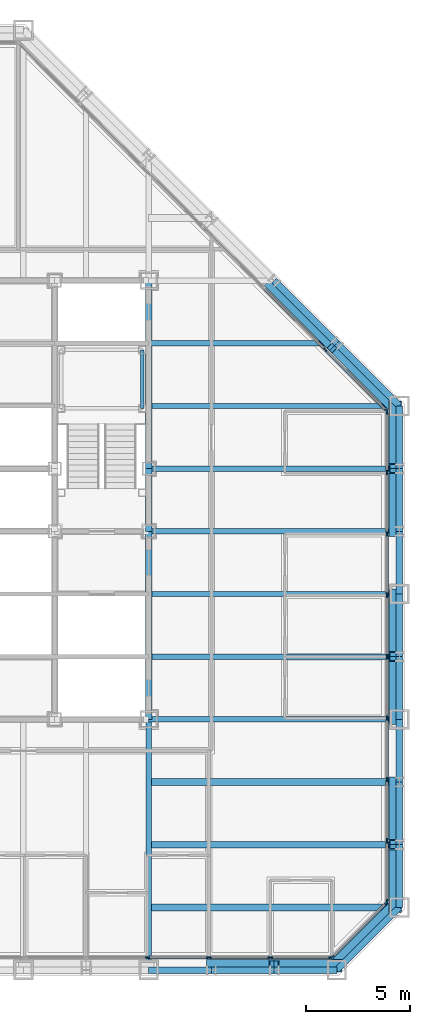
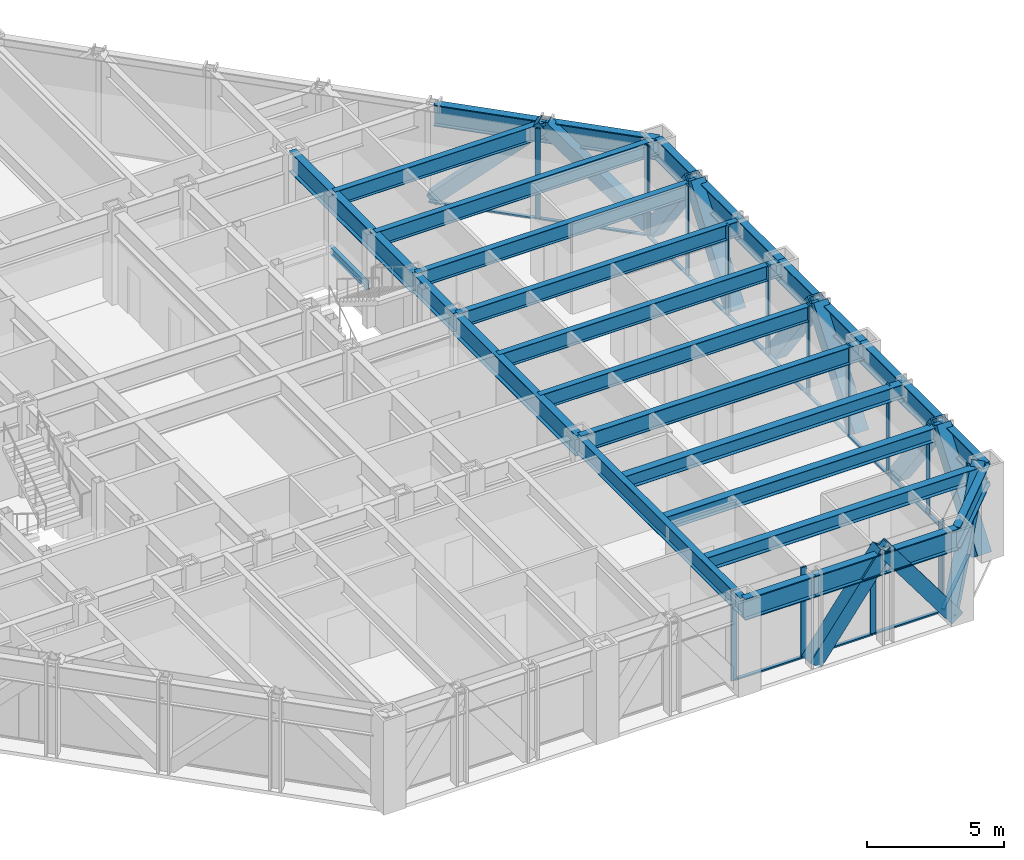
# One storey, part 6 of 16: 42 members, 29 beams, 4 elements without a shape of their own.
"""IFC4 building model written with IfcOpenShell, lengths in metres."""

import ifcopenshell
import ifcopenshell.guid

model = None  # the IFC model being written
_history = None  # IfcOwnerHistory: only IFC2X3 demands one
_inside = {}  # id of a spatial element -> (the spatial element, [elements in it])
_under = {}  # id of a project, library or spatial element -> (it, [spatial elements below it])
_declared = {}  # id of a project -> (the project, [libraries it declares])
_typed = {}  # id of a type object -> (the type object, [elements of that type])
_made_of = {}  # id of a material, layer set ... -> (it, [elements and type objects made of it])


def new_model(schema):
    """Start an empty IFC model of exactly this schema.

    Asked for "IFC4X3", IfcOpenShell would pick the latest addendum, in which some entities
    have other attributes; the version numbers below select the first issue.
    IFC2X3 requires an IfcOwnerHistory on every rooted entity: one is made here for all.
    """
    global model, _history
    if schema == "IFC4X3":
        model = ifcopenshell.file(schema_version=(4, 3, 0, 0))
    else:
        model = ifcopenshell.file(schema=schema)
    _inside.clear()
    _under.clear()
    _declared.clear()
    _typed.clear()
    _made_of.clear()
    _history = None
    if model.schema == "IFC2X3":
        org = make("IfcOrganization", Name="unknown")
        user = make(
            "IfcPersonAndOrganization",
            ThePerson=make("IfcPerson", FamilyName="unknown"),
            TheOrganization=org,
        )
        app = make(
            "IfcApplication",
            ApplicationDeveloper=org,
            Version="unknown",
            ApplicationFullName="unknown",
            ApplicationIdentifier="unknown",
        )
        _history = make(
            "IfcOwnerHistory",
            OwningUser=user,
            OwningApplication=app,
            ChangeAction="ADDED",
            CreationDate=0,
        )
    return model


def make(cls, **values):
    """One entity of the class cls with the attributes given. An attribute that is None is left unset."""
    return model.create_entity(
        cls, **{name: value for name, value in values.items() if value is not None}
    )


def rooted(cls, **values):
    """An entity with a GlobalId (a new one), such as an element, a storey or a relation."""
    return make(cls, GlobalId=ifcopenshell.guid.new(), OwnerHistory=_history, **values)


def si_unit(unit_type, name, prefix=None):
    """IfcSIUnit, for example si_unit("LENGTHUNIT", "METRE", prefix="MILLI")."""
    return make("IfcSIUnit", UnitType=unit_type, Prefix=prefix, Name=name)


def assignment(units):
    """IfcUnitAssignment: the units of a project."""
    return None if units is None else make("IfcUnitAssignment", Units=units)


def point(xyz):
    """IfcCartesianPoint."""
    return None if xyz is None else make("IfcCartesianPoint", Coordinates=xyz)


def direction(xyz):
    """IfcDirection."""
    return None if xyz is None else make("IfcDirection", DirectionRatios=xyz)


def frame(location, z_axis=None, x_axis=None):
    """IfcAxis2Placement3D, a coordinate frame: its origin and axes. An axis left out is left unset."""
    return make(
        "IfcAxis2Placement3D",
        Location=point(location),
        Axis=direction(z_axis),
        RefDirection=direction(x_axis),
    )


def frame_2d(location, x_axis=None):
    """IfcAxis2Placement2D, a coordinate frame in the plane: its origin and x axis."""
    return make(
        "IfcAxis2Placement2D", Location=point(location), RefDirection=direction(x_axis)
    )


def origin():
    """The frame at (0, 0, 0) with its axes left unset."""
    return frame((0.0, 0.0, 0.0))


def origin_2d():
    """The frame at (0, 0) in the plane with its x axis left unset."""
    return frame_2d((0.0, 0.0))


def place(relative_to, where):
    """IfcLocalPlacement: puts the frame where relative to a parent placement (None: the world)."""
    return make(
        "IfcLocalPlacement", PlacementRelTo=relative_to, RelativePlacement=where
    )


def context(
    kind, dimensions, precision=None, world=None, true_north=None, identifier=None
):
    """IfcGeometricRepresentationContext, for example the 3D "Model" context."""
    return make(
        "IfcGeometricRepresentationContext",
        ContextIdentifier=identifier,
        ContextType=kind,
        CoordinateSpaceDimension=dimensions,
        Precision=precision,
        WorldCoordinateSystem=world,
        TrueNorth=true_north,
    )


def subcontext(parent, identifier, kind, view, scale=None):
    """IfcGeometricRepresentationSubContext, for example "Body" below "Model"."""
    return make(
        "IfcGeometricRepresentationSubContext",
        ContextIdentifier=identifier,
        ContextType=kind,
        ParentContext=parent,
        TargetScale=scale,
        TargetView=view,
    )


def project(units=None, contexts=None):
    """IfcProject with its units and contexts."""
    return rooted(
        "IfcProject",
        Name="project",
        RepresentationContexts=contexts,
        UnitsInContext=assignment(units),
    )


def spatial(cls, under=None, at=None, **own):
    """A site, building, storey or space (cls), placed at a placement, below another one or the project."""
    s = rooted(cls, ObjectPlacement=at, **own)
    if under is not None:
        _under.setdefault(under.id(), (under, []))[1].append(s)
    return s


def profile(cls, at=None, kind="AREA", **sizes):
    """A parametric profile (cls). Its sizes go by their IFC names, for example OverallWidth=200.0."""
    return make(cls, ProfileType=kind, Position=at, **sizes)


def rectangle(**sizes):
    """IfcRectangleProfileDef."""
    return profile("IfcRectangleProfileDef", **sizes)


def hollow_rectangle(**sizes):
    """IfcRectangleHollowProfileDef."""
    return profile("IfcRectangleHollowProfileDef", **sizes)


def i_section(**sizes):
    """IfcIShapeProfileDef."""
    return profile("IfcIShapeProfileDef", **sizes)


def extrude(swept, where, along, depth):
    """IfcExtrudedAreaSolid: the profile swept, set in the frame where, extruded along a direction by depth."""
    return make(
        "IfcExtrudedAreaSolid",
        SweptArea=swept,
        Position=where,
        ExtrudedDirection=direction(along),
        Depth=depth,
    )


def shape(context_of_items, identifier, shape_type, items):
    """IfcShapeRepresentation: the items that make up one representation, for example the "Body"."""
    return make(
        "IfcShapeRepresentation",
        ContextOfItems=context_of_items,
        RepresentationIdentifier=identifier,
        RepresentationType=shape_type,
        Items=items,
    )


def material(Name=None, Category=None):
    """IfcMaterial."""
    return make("IfcMaterial", Name=Name, Category=Category)


def layer(
    of_material, thickness, ventilated=None, Name=None, Category=None, Priority=None
):
    """IfcMaterialLayer: one layer of a wall or slab, of a material (None: an air gap)."""
    return make(
        "IfcMaterialLayer",
        Material=of_material,
        LayerThickness=thickness,
        IsVentilated=ventilated,
        Name=Name,
        Category=Category,
        Priority=Priority,
    )


def layer_set(layers, Name=None):
    """IfcMaterialLayerSet."""
    return make("IfcMaterialLayerSet", MaterialLayers=layers, LayerSetName=Name)


def material_profile(
    of_material, cross_section, Name=None, Category=None, Priority=None
):
    """IfcMaterialProfile: a cross section and its material."""
    return make(
        "IfcMaterialProfile",
        Name=Name,
        Material=of_material,
        Profile=cross_section,
        Priority=Priority,
        Category=Category,
    )


def profile_set(profiles, Name=None, composite=None):
    """IfcMaterialProfileSet."""
    return make(
        "IfcMaterialProfileSet",
        Name=Name,
        MaterialProfiles=profiles,
        CompositeProfile=composite,
    )


def made_of(thing, what):
    """Note that an element or type object is made of a material, layer set ...; save() writes the relation."""
    if what is not None:
        _made_of.setdefault(what.id(), (what, []))[1].append(thing)
    return thing


def type_object(cls, material=None, **own):
    """A type object (cls), such as IfcWallType, which elements share."""
    return made_of(rooted(cls, **own), material)


def element(
    cls,
    number,
    at=None,
    inside=None,
    cuts=None,
    type_object=None,
    material=None,
    context=None,
    identifier="Body",
    shape_type=None,
    held_by="IfcProductDefinitionShape",
    body=None,
    shapes=None,
    **own,
):
    """One element of the class cls, such as IfcWall. Its Tag is "e" and its number.

    at: its placement. inside: the storey or other place that contains it. cuts: it is an
    opening in that element (IfcRelVoidsElement). A single representation is given by context,
    identifier, shape_type and body (its items); several are given by shapes. held_by: the class
    of the entity that holds the representations. save() writes the other relations.
    """
    e = rooted(cls, Tag="e%d" % number, ObjectPlacement=at, **own)
    if body is not None:
        shapes = [shape(context, identifier, shape_type, body)]
    if shapes is not None:
        e.Representation = make(held_by, Representations=shapes)
    if inside is not None:
        _inside.setdefault(inside.id(), (inside, []))[1].append(e)
    if cuts is not None:
        rooted(
            "IfcRelVoidsElement", RelatingBuildingElement=cuts, RelatedOpeningElement=e
        )
    if type_object is not None:
        _typed.setdefault(type_object.id(), (type_object, []))[1].append(e)
    return made_of(e, material)


def aggregate(whole, parts):
    """IfcRelAggregates: a whole, such as a stair, and the parts it consists of."""
    return rooted("IfcRelAggregates", RelatingObject=whole, RelatedObjects=parts)


def save(model, path):
    """Write the relations noted so far, then the file.

    IfcRelAggregates (storeys below a building ...), IfcRelContainedInSpatialStructure (elements
    in a storey), IfcRelDefinesByType, IfcRelAssociatesMaterial and IfcRelDeclares: one each for
    every whole, place, type object, material and project.
    """
    for whole, parts in _under.values():
        aggregate(whole, parts)
    for where, things in _inside.values():
        rooted(
            "IfcRelContainedInSpatialStructure",
            RelatedElements=things,
            RelatingStructure=where,
        )
    for kind, things in _typed.values():
        rooted("IfcRelDefinesByType", RelatedObjects=things, RelatingType=kind)
    for what, things in _made_of.values():
        rooted("IfcRelAssociatesMaterial", RelatedObjects=things, RelatingMaterial=what)
    for by, libraries in _declared.values():
        rooted("IfcRelDeclares", RelatingContext=by, RelatedDefinitions=libraries)
    model.write(path)


model = new_model("IFC4")

# Units and contexts
model_context = context("Model", 3, precision=1e-05, world=origin(), true_north=direction((0.0, 1.0)))
body_context = subcontext(model_context, "Body", "Model", "MODEL_VIEW")
ifc_project = project(units=[si_unit("LENGTHUNIT", "METRE"), si_unit("AREAUNIT", "SQUARE_METRE"), si_unit("VOLUMEUNIT", "CUBIC_METRE"), si_unit("PLANEANGLEUNIT", "RADIAN"), si_unit("MASSUNIT", "GRAM", prefix="KILO")], contexts=[model_context])

# Site, building, storey
site_placement = place(None, origin())
site = spatial("IfcSite", under=ifc_project, at=site_placement, CompositionType="ELEMENT")
building_placement = place(site_placement, origin())
building = spatial("IfcBuilding", under=site, at=building_placement, Name="Chuquiago Exchange Tower", CompositionType="ELEMENT")
storey_placement = place(building_placement, frame((0.0, 0.0, 140.39990234375)))
storey = spatial("IfcBuildingStorey", under=building, at=storey_placement, Name="L30", CompositionType="ELEMENT", Elevation=140.39990234375)

# Beams
ifc_material_1 = material(Name="Steel ASTM A992", Category="steel")
ifc_material_profile_1 = material_profile(ifc_material_1, i_section(OverallWidth=0.25390625, OverallDepth=0.683349609375, WebThickness=0.012451171875, FlangeThickness=0.018798828125, at=origin_2d()), Name="W27X94")
ifc_profile_set_1 = profile_set([ifc_material_profile_1], Name="Steel ASTM A992")
beam_type_1 = type_object("IfcBeamType", Name="B1 W27X94", PredefinedType="BEAM", material=ifc_profile_set_1)
for number, where, z_axis, x_axis, name in (
    (1, (33.0, 15.0, 3.698486328125), (1.0, 0.0, 0.0), (0.0, 1.0, 0.0), "FB-L31-infill-33_15-45_15-0"),
    (2, (33.0, 18.0, 3.698486328125), (1.0, 0.0, 0.0), (0.0, 1.0, 0.0), "FB-L31-infill-33_18-45_18-0"),
    (3, (33.0, 21.0, 3.698486328125), (1.0, 0.0, 0.0), (0.0, 1.0, 0.0), "FB-L31-infill-33_21-45_21-0"),
    (4, (33.0, 24.0, 3.698486328125), (1.0, 0.0, 0.0), (0.0, 1.0, 0.0), "FB-L31-infill-33_24-45_24-0"),
    (5, (33.0, 27.0, 3.698486328125), (1.0, 0.0, 0.0), (0.0, 1.0, 0.0), "FB-L31-infill-33_27-45_27-0"),
):
    element("IfcBeam", number, at=place(storey_placement, frame(where, z_axis=z_axis, x_axis=x_axis)), inside=storey, type_object=beam_type_1, Name=name, PredefinedType="BEAM", context=body_context, shape_type="SweptSolid", body=[
        extrude(i_section(OverallWidth=0.25390625, OverallDepth=0.683349609375, WebThickness=0.012451171875, FlangeThickness=0.018798828125, at=origin_2d()), origin(), (0.0, 0.0, 1.0), 12.0),
    ])
beam_1_placement = place(storey_placement, frame((33.0, 30.0, 3.698486328125), z_axis=(1.0, 0.0, 0.0), x_axis=(0.0, 1.0, 0.0)))
element("IfcBeam", 6, at=beam_1_placement, inside=storey, type_object=beam_type_1, Name="FB-L31-infill-33_30-42_30-0", PredefinedType="BEAM", context=body_context, shape_type="SweptSolid", body=[
    extrude(i_section(OverallWidth=0.25390625, OverallDepth=0.683349609375, WebThickness=0.012451171875, FlangeThickness=0.018798828125, at=origin_2d()), origin(), (0.0, 0.0, 1.0), 9.0),
])
ifc_material_2 = material(Name="Steel ASTM A992", Category="steel")
ifc_material_profile_2 = material_profile(ifc_material_2, i_section(OverallWidth=0.307373046875, OverallDepth=0.927001953125, WebThickness=0.01953125, FlangeThickness=0.031982421875, at=origin_2d()), Name="W36X194")
ifc_profile_set_2 = profile_set([ifc_material_profile_2], Name="Steel ASTM A992")
beam_type_2 = type_object("IfcBeamType", Name="B10 W36X194", PredefinedType="BEAM", material=ifc_profile_set_2)
for number, where, z_axis, x_axis, name in (
    (7, (33.0, 12.0, 3.576416015625), (0.0, 1.0, 0.0), (-1.0, 0.0, 0.0), "CB-L31-33_12-33_21"),
    (8, (33.0, 24.0, 3.576416015625), (0.0, 1.0, 0.0), (-1.0, 0.0, 0.0), "CB-L31-33_24-33_33"),
):
    element("IfcBeam", number, at=place(storey_placement, frame(where, z_axis=z_axis, x_axis=x_axis)), inside=storey, type_object=beam_type_2, Name=name, PredefinedType="BEAM", context=body_context, shape_type="SweptSolid", body=[
        extrude(i_section(OverallWidth=0.307373046875, OverallDepth=0.927001953125, WebThickness=0.01953125, FlangeThickness=0.031982421875, at=origin_2d()), origin(), (0.0, 0.0, 1.0), 9.0),
    ])
ifc_material_3 = material(Name="Steel ASTM A992", Category="steel")
ifc_material_profile_3 = material_profile(ifc_material_3, i_section(OverallWidth=0.3251953125, OverallDepth=0.612060546875, WebThickness=0.0126953125, FlangeThickness=0.01904296875, at=origin_2d()), Name="W24X104")
ifc_profile_set_3 = profile_set([ifc_material_profile_3], Name="Steel ASTM A992")
beam_type_3 = type_object("IfcBeamType", Name="B2 W24X104", PredefinedType="BEAM", material=ifc_profile_set_3)
for number, where, z_axis, x_axis, name in (
    (9, (33.0, 3.0, 3.73388671875), (1.0, 0.0, 0.0), (0.0, 1.0, 0.0), "FB-L31-corner-33_3-45_3-0"),
    (10, (33.0, 6.0, 3.73388671875), (1.0, 0.0, 0.0), (0.0, 1.0, 0.0), "FB-L31-corner-33_6-45_6-0"),
    (11, (33.0, 9.0, 3.73388671875), (1.0, 0.0, 0.0), (0.0, 1.0, 0.0), "FB-L31-corner-33_9-45_9-0"),
):
    element("IfcBeam", number, at=place(storey_placement, frame(where, z_axis=z_axis, x_axis=x_axis)), inside=storey, type_object=beam_type_3, Name=name, PredefinedType="BEAM", context=body_context, shape_type="SweptSolid", body=[
        extrude(i_section(OverallWidth=0.3251953125, OverallDepth=0.612060546875, WebThickness=0.0126953125, FlangeThickness=0.01904296875, at=origin_2d()), origin(), (0.0, 0.0, 1.0), 12.0),
    ])
ifc_material_4 = material(Name="Steel ASTM A992", Category="steel")
ifc_material_profile_4 = material_profile(ifc_material_4, i_section(OverallWidth=0.2919921875, OverallDepth=0.8583984375, WebThickness=0.01708984375, FlangeThickness=0.031005859375, at=origin_2d()), Name="W33X169")
ifc_profile_set_4 = profile_set([ifc_material_profile_4], Name="Steel ASTM A992")
beam_type_4 = type_object("IfcBeamType", Name="B3 W33X169", PredefinedType="BEAM", material=ifc_profile_set_4)
beam_2_placement = place(storey_placement, frame((33.0, 21.0, 3.61083984375), z_axis=(0.0, 1.0, 0.0), x_axis=(-1.0, 0.0, 0.0)))
element("IfcBeam", 12, at=beam_2_placement, inside=storey, type_object=beam_type_4, Name="CB-L31-33_21-33_24", PredefinedType="BEAM", context=body_context, shape_type="SweptSolid", body=[
    extrude(i_section(OverallWidth=0.2919921875, OverallDepth=0.8583984375, WebThickness=0.01708984375, FlangeThickness=0.031005859375, at=origin_2d()), origin(), (0.0, 0.0, 1.0), 3.0),
])

# Curtain wall, members
ifc_material_5 = material(Name="Aluminium curtain wall system", Category="aluminium")
ifc_layer_1 = layer(ifc_material_5, 0.22509765625)
ifc_layer_set_1 = layer_set([ifc_layer_1], Name="CW2 office curtain wall")
curtain_wall_type_1 = type_object("IfcCurtainWallType", Name="CW2 office curtain wall", PredefinedType="NOTDEFINED", material=ifc_layer_set_1)
curtain_wall_1_placement = place(storey_placement, origin())
curtain_wall_1 = element("IfcCurtainWall", 13, at=curtain_wall_1_placement, inside=storey, type_object=curtain_wall_type_1, Name="CW2 curtain wall L30", PredefinedType="NOTDEFINED")
ifc_material_6 = material(Name="Aluminium mullion, pale anodised", Category="aluminium")
ifc_material_profile_5 = material_profile(ifc_material_6, rectangle(XDim=0.06494140625, YDim=0.22509765625, at=origin_2d()), Name="AL 65x225")
ifc_profile_set_5 = profile_set([ifc_material_profile_5], Name="Aluminium mullion, pale anodised")
member_type_1 = type_object("IfcMemberType", Name="CW2-M mullion 65x225", PredefinedType="MULLION", material=ifc_profile_set_5)
member_1_placement = place(storey_placement, frame((32.93798828125, 0.60009765625, 0.0), z_axis=(0.0, 0.0, 1.0), x_axis=(0.0, 1.0, 0.0)))
member_1 = element("IfcMember", 14, at=member_1_placement, type_object=member_type_1, Name="CW2 mullion 6", PredefinedType="MULLION", context=body_context, shape_type="SweptSolid", body=[
    extrude(rectangle(XDim=0.06494140625, YDim=0.22509765625, at=origin_2d()), origin(), (0.0, 0.0, 1.0), 4.0400390625),
])
member_2_placement = place(storey_placement, frame((35.875732421875, 0.60009765625, 0.0), z_axis=(0.0, 0.0, 1.0), x_axis=(0.0, 1.0, 0.0)))
member_2 = element("IfcMember", 15, at=member_2_placement, type_object=member_type_1, Name="CW2 mullion 7", PredefinedType="MULLION", context=body_context, shape_type="SweptSolid", body=[
    extrude(rectangle(XDim=0.06494140625, YDim=0.22509765625, at=origin_2d()), origin(), (0.0, 0.0, 1.0), 4.0400390625),
])
member_3_placement = place(storey_placement, frame((38.813720703125, 0.60009765625, 0.0), z_axis=(0.0, 0.0, 1.0), x_axis=(0.0, 1.0, 0.0)))
member_3 = element("IfcMember", 16, at=member_3_placement, type_object=member_type_1, Name="CW2 mullion 8", PredefinedType="MULLION", context=body_context, shape_type="SweptSolid", body=[
    extrude(rectangle(XDim=0.06494140625, YDim=0.22509765625, at=origin_2d()), origin(), (0.0, 0.0, 1.0), 4.0400390625),
])
member_4_placement = place(storey_placement, frame((41.718994140625, 0.60009765625, 0.0), z_axis=(0.0, 0.0, 1.0), x_axis=(0.0, 1.0, 0.0)))
member_4 = element("IfcMember", 17, at=member_4_placement, type_object=member_type_1, Name="CW2 mullion 9", PredefinedType="MULLION", context=body_context, shape_type="SweptSolid", body=[
    extrude(rectangle(XDim=0.06494140625, YDim=0.22509765625, at=origin_2d()), origin(), (0.0, 0.0, 1.0), 4.0400390625),
])

curtain_wall_2_placement = place(storey_placement, origin())
curtain_wall_2 = element("IfcCurtainWall", 18, at=curtain_wall_2_placement, inside=storey, type_object=curtain_wall_type_1, Name="CW2 curtain wall L30", PredefinedType="NOTDEFINED")
member_5_placement = place(storey_placement, frame((44.39990234375, 3.281005859375, 0.0), z_axis=(0.0, 0.0, 1.0), x_axis=(-1.0, 0.0, 0.0)))
member_5 = element("IfcMember", 19, at=member_5_placement, type_object=member_type_1, Name="CW2 mullion 1", PredefinedType="MULLION", context=body_context, shape_type="SweptSolid", body=[
    extrude(rectangle(XDim=0.06494140625, YDim=0.22509765625, at=origin_2d()), origin(), (0.0, 0.0, 1.0), 4.0400390625),
])
member_6_placement = place(storey_placement, frame((44.39990234375, 6.186279296875, 0.0), z_axis=(0.0, 0.0, 1.0), x_axis=(-1.0, 0.0, 0.0)))
member_6 = element("IfcMember", 20, at=member_6_placement, type_object=member_type_1, Name="CW2 mullion 2", PredefinedType="MULLION", context=body_context, shape_type="SweptSolid", body=[
    extrude(rectangle(XDim=0.06494140625, YDim=0.22509765625, at=origin_2d()), origin(), (0.0, 0.0, 1.0), 4.0400390625),
])
member_7_placement = place(storey_placement, frame((44.39990234375, 9.124267578125, 0.0), z_axis=(0.0, 0.0, 1.0), x_axis=(-1.0, 0.0, 0.0)))
member_7 = element("IfcMember", 21, at=member_7_placement, type_object=member_type_1, Name="CW2 mullion 3", PredefinedType="MULLION", context=body_context, shape_type="SweptSolid", body=[
    extrude(rectangle(XDim=0.06494140625, YDim=0.22509765625, at=origin_2d()), origin(), (0.0, 0.0, 1.0), 4.0400390625),
])
member_8_placement = place(storey_placement, frame((44.39990234375, 12.06201171875, 0.0), z_axis=(0.0, 0.0, 1.0), x_axis=(-1.0, 0.0, 0.0)))
member_8 = element("IfcMember", 22, at=member_8_placement, type_object=member_type_1, Name="CW2 mullion 4", PredefinedType="MULLION", context=body_context, shape_type="SweptSolid", body=[
    extrude(rectangle(XDim=0.06494140625, YDim=0.22509765625, at=origin_2d()), origin(), (0.0, 0.0, 1.0), 4.0400390625),
])
member_9_placement = place(storey_placement, frame((44.39990234375, 15.0, 0.0), z_axis=(0.0, 0.0, 1.0), x_axis=(-1.0, 0.0, 0.0)))
member_9 = element("IfcMember", 23, at=member_9_placement, type_object=member_type_1, Name="CW2 mullion 5", PredefinedType="MULLION", context=body_context, shape_type="SweptSolid", body=[
    extrude(rectangle(XDim=0.06494140625, YDim=0.22509765625, at=origin_2d()), origin(), (0.0, 0.0, 1.0), 4.0400390625),
])
member_10_placement = place(storey_placement, frame((44.39990234375, 17.93798828125, 0.0), z_axis=(0.0, 0.0, 1.0), x_axis=(-1.0, 0.0, 0.0)))
member_10 = element("IfcMember", 24, at=member_10_placement, type_object=member_type_1, Name="CW2 mullion 6", PredefinedType="MULLION", context=body_context, shape_type="SweptSolid", body=[
    extrude(rectangle(XDim=0.06494140625, YDim=0.22509765625, at=origin_2d()), origin(), (0.0, 0.0, 1.0), 4.0400390625),
])
member_11_placement = place(storey_placement, frame((44.39990234375, 20.875732421875, 0.0), z_axis=(0.0, 0.0, 1.0), x_axis=(-1.0, 0.0, 0.0)))
member_11 = element("IfcMember", 25, at=member_11_placement, type_object=member_type_1, Name="CW2 mullion 7", PredefinedType="MULLION", context=body_context, shape_type="SweptSolid", body=[
    extrude(rectangle(XDim=0.06494140625, YDim=0.22509765625, at=origin_2d()), origin(), (0.0, 0.0, 1.0), 4.0400390625),
])
member_12_placement = place(storey_placement, frame((44.39990234375, 23.813720703125, 0.0), z_axis=(0.0, 0.0, 1.0), x_axis=(-1.0, 0.0, 0.0)))
member_12 = element("IfcMember", 26, at=member_12_placement, type_object=member_type_1, Name="CW2 mullion 8", PredefinedType="MULLION", context=body_context, shape_type="SweptSolid", body=[
    extrude(rectangle(XDim=0.06494140625, YDim=0.22509765625, at=origin_2d()), origin(), (0.0, 0.0, 1.0), 4.0400390625),
])
member_13_placement = place(storey_placement, frame((44.39990234375, 26.718994140625, 0.0), z_axis=(0.0, 0.0, 1.0), x_axis=(-1.0, 0.0, 0.0)))
member_13 = element("IfcMember", 27, at=member_13_placement, type_object=member_type_1, Name="CW2 mullion 9", PredefinedType="MULLION", context=body_context, shape_type="SweptSolid", body=[
    extrude(rectangle(XDim=0.06494140625, YDim=0.22509765625, at=origin_2d()), origin(), (0.0, 0.0, 1.0), 4.0400390625),
])

# Member
ifc_material_7 = material(Name="Aluminium transom, pale anodised", Category="aluminium")
ifc_material_profile_6 = material_profile(ifc_material_7, rectangle(XDim=0.139892578125, YDim=0.06494140625, at=origin_2d()), Name="AL 140x65")
ifc_profile_set_6 = profile_set([ifc_material_profile_6], Name="Aluminium transom, pale anodised")
member_type_2 = type_object("IfcMemberType", Name="CW2-T transom 65x140", PredefinedType="MULLION", material=ifc_profile_set_6)
member_14_placement = place(storey_placement, frame((32.970458984375, 0.60009765625, 0.03271484375), z_axis=(1.0, 0.0, 0.0), x_axis=(0.0, 1.0, 0.0)))
member_14 = element("IfcMember", 28, at=member_14_placement, type_object=member_type_2, Name="CW2 transom 6.1", PredefinedType="MULLION", context=body_context, shape_type="SweptSolid", body=[
    extrude(rectangle(XDim=0.139892578125, YDim=0.06494140625, at=origin_2d()), origin(), (0.0, 0.0, 1.0), 2.872802734375),
])

member_15_placement = place(storey_placement, frame((35.908203125, 0.60009765625, 0.03271484375), z_axis=(1.0, 0.0, 0.0), x_axis=(0.0, 1.0, 0.0)))
member_15 = element("IfcMember", 29, at=member_15_placement, type_object=member_type_2, Name="CW2 transom 7.1", PredefinedType="MULLION", context=body_context, shape_type="SweptSolid", body=[
    extrude(rectangle(XDim=0.139892578125, YDim=0.06494140625, at=origin_2d()), origin(), (0.0, 0.0, 1.0), 2.872802734375),
])

member_16_placement = place(storey_placement, frame((38.84619140625, 0.60009765625, 0.03271484375), z_axis=(1.0, 0.0, 0.0), x_axis=(0.0, 1.0, 0.0)))
member_16 = element("IfcMember", 30, at=member_16_placement, type_object=member_type_2, Name="CW2 transom 8.1", PredefinedType="MULLION", context=body_context, shape_type="SweptSolid", body=[
    extrude(rectangle(XDim=0.139892578125, YDim=0.06494140625, at=origin_2d()), origin(), (0.0, 0.0, 1.0), 2.84033203125),
])

aggregate(curtain_wall_1, [member_1, member_2, member_3, member_4, member_14, member_15, member_16])

member_17_placement = place(storey_placement, frame((44.39990234375, 3.3134765625, 0.03271484375), z_axis=(0.0, 1.0, 0.0), x_axis=(-1.0, 0.0, 0.0)))
member_17 = element("IfcMember", 31, at=member_17_placement, type_object=member_type_2, Name="CW2 transom 1.1", PredefinedType="MULLION", context=body_context, shape_type="SweptSolid", body=[
    extrude(rectangle(XDim=0.139892578125, YDim=0.06494140625, at=origin_2d()), origin(), (0.0, 0.0, 1.0), 2.84033203125),
])

member_18_placement = place(storey_placement, frame((44.39990234375, 6.218994140625, 0.03271484375), z_axis=(0.0, 1.0, 0.0), x_axis=(-1.0, 0.0, 0.0)))
member_18 = element("IfcMember", 32, at=member_18_placement, type_object=member_type_2, Name="CW2 transom 2.1", PredefinedType="MULLION", context=body_context, shape_type="SweptSolid", body=[
    extrude(rectangle(XDim=0.139892578125, YDim=0.06494140625, at=origin_2d()), origin(), (0.0, 0.0, 1.0), 2.872802734375),
])

member_19_placement = place(storey_placement, frame((44.39990234375, 9.15673828125, 0.03271484375), z_axis=(0.0, 1.0, 0.0), x_axis=(-1.0, 0.0, 0.0)))
member_19 = element("IfcMember", 33, at=member_19_placement, type_object=member_type_2, Name="CW2 transom 3.1", PredefinedType="MULLION", context=body_context, shape_type="SweptSolid", body=[
    extrude(rectangle(XDim=0.139892578125, YDim=0.06494140625, at=origin_2d()), origin(), (0.0, 0.0, 1.0), 2.872802734375),
])

member_20_placement = place(storey_placement, frame((44.39990234375, 12.0947265625, 0.03271484375), z_axis=(0.0, 1.0, 0.0), x_axis=(-1.0, 0.0, 0.0)))
member_20 = element("IfcMember", 34, at=member_20_placement, type_object=member_type_2, Name="CW2 transom 4.1", PredefinedType="MULLION", context=body_context, shape_type="SweptSolid", body=[
    extrude(rectangle(XDim=0.139892578125, YDim=0.06494140625, at=origin_2d()), origin(), (0.0, 0.0, 1.0), 2.872802734375),
])

member_21_placement = place(storey_placement, frame((44.39990234375, 15.032470703125, 0.03271484375), z_axis=(0.0, 1.0, 0.0), x_axis=(-1.0, 0.0, 0.0)))
member_21 = element("IfcMember", 35, at=member_21_placement, type_object=member_type_2, Name="CW2 transom 5.1", PredefinedType="MULLION", context=body_context, shape_type="SweptSolid", body=[
    extrude(rectangle(XDim=0.139892578125, YDim=0.06494140625, at=origin_2d()), origin(), (0.0, 0.0, 1.0), 2.872802734375),
])

member_22_placement = place(storey_placement, frame((44.39990234375, 17.970458984375, 0.03271484375), z_axis=(0.0, 1.0, 0.0), x_axis=(-1.0, 0.0, 0.0)))
member_22 = element("IfcMember", 36, at=member_22_placement, type_object=member_type_2, Name="CW2 transom 6.1", PredefinedType="MULLION", context=body_context, shape_type="SweptSolid", body=[
    extrude(rectangle(XDim=0.139892578125, YDim=0.06494140625, at=origin_2d()), origin(), (0.0, 0.0, 1.0), 2.872802734375),
])

member_23_placement = place(storey_placement, frame((44.39990234375, 20.908203125, 0.03271484375), z_axis=(0.0, 1.0, 0.0), x_axis=(-1.0, 0.0, 0.0)))
member_23 = element("IfcMember", 37, at=member_23_placement, type_object=member_type_2, Name="CW2 transom 7.1", PredefinedType="MULLION", context=body_context, shape_type="SweptSolid", body=[
    extrude(rectangle(XDim=0.139892578125, YDim=0.06494140625, at=origin_2d()), origin(), (0.0, 0.0, 1.0), 2.872802734375),
])

member_24_placement = place(storey_placement, frame((44.39990234375, 23.84619140625, 0.03271484375), z_axis=(0.0, 1.0, 0.0), x_axis=(-1.0, 0.0, 0.0)))
member_24 = element("IfcMember", 38, at=member_24_placement, type_object=member_type_2, Name="CW2 transom 8.1", PredefinedType="MULLION", context=body_context, shape_type="SweptSolid", body=[
    extrude(rectangle(XDim=0.139892578125, YDim=0.06494140625, at=origin_2d()), origin(), (0.0, 0.0, 1.0), 2.84033203125),
])

aggregate(curtain_wall_2, [member_5, member_6, member_7, member_8, member_9, member_10, member_11, member_12, member_13, member_17, member_18, member_19, member_20, member_21, member_22, member_23, member_24])

# Curtain wall, members
ifc_material_8 = material(Name="Aluminium curtain wall system", Category="aluminium")
ifc_layer_2 = layer(ifc_material_8, 0.199951171875)
ifc_layer_set_2 = layer_set([ifc_layer_2], Name="CW3 facet curtain wall")
curtain_wall_type_2 = type_object("IfcCurtainWallType", Name="CW3 facet curtain wall", PredefinedType="NOTDEFINED", material=ifc_layer_set_2)
curtain_wall_3_placement = place(storey_placement, origin())
curtain_wall_3 = element("IfcCurtainWall", 39, at=curtain_wall_3_placement, inside=storey, type_object=curtain_wall_type_2, Name="CW3 curtain wall L30", PredefinedType="NOTDEFINED")
ifc_material_9 = material(Name="Aluminium mullion, pale anodised", Category="aluminium")
ifc_material_profile_7 = material_profile(ifc_material_9, rectangle(XDim=0.06494140625, YDim=0.199951171875, at=origin_2d()), Name="AL 65x200")
ifc_profile_set_7 = profile_set([ifc_material_profile_7], Name="Aluminium mullion, pale anodised")
member_type_3 = type_object("IfcMemberType", Name="CW3-M mullion 65x200", PredefinedType="MULLION", material=ifc_profile_set_7)
member_25_placement = place(storey_placement, frame((41.7744140625, 0.623046875, 0.0), z_axis=(0.0, 0.0, 1.0), x_axis=(-0.707106781187, 0.707106781187, 0.0)))
member_25 = element("IfcMember", 40, at=member_25_placement, type_object=member_type_3, Name="CW3 mullion 1", PredefinedType="MULLION", context=body_context, shape_type="SweptSolid", body=[
    extrude(rectangle(XDim=0.06494140625, YDim=0.199951171875, at=origin_2d()), origin(), (0.0, 0.0, 1.0), 4.0400390625),
])
member_26_placement = place(storey_placement, frame((44.376953125, 3.2255859375, 0.0), z_axis=(0.0, 0.0, 1.0), x_axis=(-0.707106781187, 0.707106781187, 0.0)))
member_26 = element("IfcMember", 41, at=member_26_placement, type_object=member_type_3, Name="CW3 mullion 2", PredefinedType="MULLION", context=body_context, shape_type="SweptSolid", body=[
    extrude(rectangle(XDim=0.06494140625, YDim=0.199951171875, at=origin_2d()), origin(), (0.0, 0.0, 1.0), 4.0400390625),
])

curtain_wall_4_placement = place(storey_placement, origin())
curtain_wall_4 = element("IfcCurtainWall", 42, at=curtain_wall_4_placement, inside=storey, type_object=curtain_wall_type_2, Name="CW3 curtain wall L30", PredefinedType="NOTDEFINED")
member_27_placement = place(storey_placement, frame((44.376953125, 26.7744140625, 0.0), z_axis=(0.0, 0.0, 1.0), x_axis=(-0.707106781187, -0.707106781187, 0.0)))
member_27 = element("IfcMember", 43, at=member_27_placement, type_object=member_type_3, Name="CW3 mullion 1", PredefinedType="MULLION", context=body_context, shape_type="SweptSolid", body=[
    extrude(rectangle(XDim=0.06494140625, YDim=0.199951171875, at=origin_2d()), origin(), (0.0, 0.0, 1.0), 4.0400390625),
])
member_28_placement = place(storey_placement, frame((41.45849609375, 29.69287109375, 0.0), z_axis=(0.0, 0.0, 1.0), x_axis=(-0.707106781187, -0.707106781187, 0.0)))
member_28 = element("IfcMember", 44, at=member_28_placement, type_object=member_type_3, Name="CW3 mullion 2", PredefinedType="MULLION", context=body_context, shape_type="SweptSolid", body=[
    extrude(rectangle(XDim=0.06494140625, YDim=0.199951171875, at=origin_2d()), origin(), (0.0, 0.0, 1.0), 4.0400390625),
])

# Member
ifc_material_10 = material(Name="Aluminium transom, pale anodised", Category="aluminium")
ifc_material_profile_8 = material_profile(ifc_material_10, rectangle(XDim=0.139892578125, YDim=0.06494140625, at=origin_2d()), Name="AL 140x65")
ifc_profile_set_8 = profile_set([ifc_material_profile_8], Name="Aluminium transom, pale anodised")
member_type_4 = type_object("IfcMemberType", Name="CW3-T transom 65x140", PredefinedType="MULLION", material=ifc_profile_set_8)
member_29_placement = place(storey_placement, frame((41.79736328125, 0.64599609375, 0.03271484375), z_axis=(0.707106781187, 0.707106781187, 0.0), x_axis=(-0.707106781187, 0.707106781187, 0.0)))
member_29 = element("IfcMember", 45, at=member_29_placement, type_object=member_type_4, Name="CW3 transom 1.1", PredefinedType="MULLION", context=body_context, shape_type="SweptSolid", body=[
    extrude(rectangle(XDim=0.139892578125, YDim=0.06494140625, at=origin_2d()), origin(), (0.0, 0.0, 1.0), 3.61572265625),
])

aggregate(curtain_wall_3, [member_25, member_26, member_29])

member_30_placement = place(storey_placement, frame((44.35400390625, 26.79736328125, 0.03271484375), z_axis=(-0.707106781187, 0.707106781187, 0.0), x_axis=(-0.707106781187, -0.707106781187, 0.0)))
member_30 = element("IfcMember", 46, at=member_30_placement, type_object=member_type_4, Name="CW3 transom 1.1", PredefinedType="MULLION", context=body_context, shape_type="SweptSolid", body=[
    extrude(rectangle(XDim=0.139892578125, YDim=0.06494140625, at=origin_2d()), origin(), (0.0, 0.0, 1.0), 4.0625),
])

member_31_placement = place(storey_placement, frame((41.435546875, 29.7158203125, 0.03271484375), z_axis=(-0.707106781187, 0.707106781187, 0.0), x_axis=(-0.707106781187, -0.707106781187, 0.0)))
member_31 = element("IfcMember", 47, at=member_31_placement, type_object=member_type_4, Name="CW3 transom 2.1", PredefinedType="MULLION", context=body_context, shape_type="SweptSolid", body=[
    extrude(rectangle(XDim=0.139892578125, YDim=0.06494140625, at=origin_2d()), origin(), (0.0, 0.0, 1.0), 4.094970703125),
])

aggregate(curtain_wall_4, [member_27, member_28, member_30, member_31])

# Beams
ifc_material_11 = material(Name="Steel ASTM A992", Category="steel")
ifc_material_profile_9 = material_profile(ifc_material_11, i_section(OverallWidth=0.2666015625, OverallDepth=0.76953125, WebThickness=0.015625, FlangeThickness=0.025390625, at=origin_2d()), Name="W30X132")
ifc_profile_set_9 = profile_set([ifc_material_profile_9], Name="Steel ASTM A992")
beam_type_5 = type_object("IfcBeamType", Name="G1 W30X132", PredefinedType="BEAM", material=ifc_profile_set_9)
for number, where, z_axis, x_axis, name in (
    (48, (33.0, 12.0, 3.6552734375), (0.0, -1.0, 0.0), (1.0, 0.0, 0.0), "FB-L31-girder-33_12-33_-0-0"),
    (49, (33.0, 12.0, 3.6552734375), (1.0, 0.0, 0.0), (0.0, 1.0, 0.0), "FB-L31-girder-33_12-45_12-0"),
):
    element("IfcBeam", number, at=place(storey_placement, frame(where, z_axis=z_axis, x_axis=x_axis)), inside=storey, type_object=beam_type_5, Name=name, PredefinedType="BEAM", context=body_context, shape_type="SweptSolid", body=[
        extrude(i_section(OverallWidth=0.2666015625, OverallDepth=0.76953125, WebThickness=0.015625, FlangeThickness=0.025390625, at=origin_2d()), origin(), (0.0, 0.0, 1.0), 12.0),
    ])

# Members
ifc_material_12 = material(Name="Steel ASTM A500 Grade C", Category="steel")
ifc_material_profile_10 = material_profile(ifc_material_12, hollow_rectangle(XDim=0.508056640625, YDim=0.508056640625, WallThickness=0.017822265625, at=origin_2d()), Name="HSS20X20X3/4")
ifc_profile_set_10 = profile_set([ifc_material_profile_10], Name="Steel ASTM A500 Grade C")
member_type_5 = type_object("IfcMemberType", Name="LB1 HSS20X20X3/4", PredefinedType="BRACE", material=ifc_profile_set_10)
for number, where, z_axis, x_axis, name in (
    (50, (41.822509765625, 0.177490234375, 0.0), (0.512077265487, 0.512077265487, 0.689604051861), (-0.707106781187, 0.707106781187, 0.0), "LB-L30-42_0-45_3"),
    (51, (44.822509765625, 26.822509765625, 0.0), (-0.512077265487, 0.512077265487, 0.689604051861), (-0.707106781187, -0.707106781187, 0.0), "LB-L30-45_27-42_30"),
    (52, (38.822509765625, 32.822509765625, 0.0), (0.512077265487, -0.512077265487, 0.689604051861), (0.707106781187, 0.707106781187, 0.0), "LB-L30-42_30-39_33"),
):
    element("IfcMember", number, at=place(storey_placement, frame(where, z_axis=z_axis, x_axis=x_axis)), inside=storey, type_object=member_type_5, Name=name, PredefinedType="BRACE", context=body_context, shape_type="SweptSolid", body=[
        extrude(hollow_rectangle(XDim=0.508056640625, YDim=0.508056640625, WallThickness=0.017822265625, at=origin_2d()), origin(), (0.0, 0.0, 1.0), 5.8583984375),
    ])

# Beam
ifc_material_13 = material(Name="Steel ASTM A992", Category="steel")
ifc_material_profile_11 = material_profile(ifc_material_13, i_section(OverallWidth=0.164794921875, OverallDepth=0.309814453125, WebThickness=0.005859375, FlangeThickness=0.009765625, at=origin_2d()), Name="W12X26")
ifc_profile_set_11 = profile_set([ifc_material_profile_11], Name="Steel ASTM A992")
beam_type_6 = type_object("IfcBeamType", Name="LS1 W12X26", PredefinedType="BEAM", material=ifc_profile_set_11)
beam_3_placement = place(storey_placement, frame((32.68994140625, 26.889892578125, 1.7451171875), z_axis=(0.0, 1.0, 0.0), x_axis=(-1.0, 0.0, 0.0)))
element("IfcBeam", 53, at=beam_3_placement, inside=storey, type_object=beam_type_6, Name="Stair ST2 L30 landing 1 stringer", PredefinedType="BEAM", context=body_context, shape_type="SweptSolid", body=[
    extrude(i_section(OverallWidth=0.164794921875, OverallDepth=0.309814453125, WebThickness=0.005859375, FlangeThickness=0.009765625, at=origin_2d()), origin(), (0.0, 0.0, 1.0), 2.800048828125),
])

# Members
ifc_material_14 = material(Name="Steel ASTM A572 Grade 50", Category="steel")
ifc_material_profile_12 = material_profile(ifc_material_14, hollow_rectangle(XDim=0.60009765625, YDim=0.60009765625, WallThickness=0.06005859375, at=origin_2d()), Name="BOX600X600X60")
ifc_profile_set_12 = profile_set([ifc_material_profile_12], Name="Steel ASTM A572 Grade 50")
member_type_6 = type_object("IfcMemberType", Name="MB2 BOX600X600X60", PredefinedType="BRACE", material=ifc_profile_set_12)
for number, where, z_axis, x_axis, name in (
    (54, (36.0, 0.205078125, 0.0), (0.596173923302, 0.0, 0.802855312728), (0.0, 1.0, 0.0), "Mega diagonal L30 S face"),
    (55, (42.0, 0.205078125, 0.0), (-0.596173923302, 0.0, 0.802855312728), (0.0, -1.0, 0.0), "Mega diagonal L30 S face"),
    (56, (44.794921875, 3.0, 0.0), (0.0, 0.596173923302, 0.802855312728), (-1.0, 0.0, 0.0), "Mega diagonal L30 E face"),
    (57, (44.794921875, 9.0, 0.0), (0.0, -0.596173923302, 0.802855312728), (1.0, 0.0, 0.0), "Mega diagonal L30 E face"),
    (58, (44.794921875, 12.0, 0.0), (0.0, 0.596173923302, 0.802855312728), (-1.0, 0.0, 0.0), "Mega diagonal L30 E face"),
    (59, (44.794921875, 18.0, 0.0), (0.0, -0.596173923302, 0.802855312728), (1.0, 0.0, 0.0), "Mega diagonal L30 E face"),
    (60, (44.794921875, 21.0, 0.0), (0.0, 0.596173923302, 0.802855312728), (-1.0, 0.0, 0.0), "Mega diagonal L30 E face"),
    (61, (44.794921875, 27.0, 0.0), (0.0, -0.596173923302, 0.802855312728), (1.0, 0.0, 0.0), "Mega diagonal L30 E face"),
):
    element("IfcMember", number, at=place(storey_placement, frame(where, z_axis=z_axis, x_axis=x_axis)), inside=storey, type_object=member_type_6, Name=name, PredefinedType="BRACE", context=body_context, shape_type="SweptSolid", body=[
        extrude(hollow_rectangle(XDim=0.60009765625, YDim=0.60009765625, WallThickness=0.06005859375, at=origin_2d()), origin(), (0.0, 0.0, 1.0), 5.031982421875),
    ])

# Beams
ifc_material_15 = material(Name="Steel ASTM A992", Category="steel")
ifc_material_profile_13 = material_profile(ifc_material_15, i_section(OverallWidth=0.309814453125, OverallDepth=0.949951171875, WebThickness=0.0244140625, FlangeThickness=0.0439453125, at=origin_2d()), Name="W36X256")
ifc_profile_set_13 = profile_set([ifc_material_profile_13], Name="Steel ASTM A992")
beam_type_7 = type_object("IfcBeamType", Name="SP2 W36X256", PredefinedType="SPANDREL", material=ifc_profile_set_13)
for number, where, z_axis, x_axis, name in (
    (62, (33.0, 0.0, 3.565185546875), (1.0, 0.0, 0.0), (0.0, 1.0, 0.0), "SPB-L31-33_0-36_0"),
    (63, (36.0, 0.0, 3.565185546875), (1.0, 0.0, 0.0), (0.0, 1.0, 0.0), "SPB-L31-36_0-39_0"),
    (64, (39.0, 0.0, 3.565185546875), (1.0, 0.0, 0.0), (0.0, 1.0, 0.0), "SPB-L31-39_0-42_0"),
):
    element("IfcBeam", number, at=place(storey_placement, frame(where, z_axis=z_axis, x_axis=x_axis)), inside=storey, type_object=beam_type_7, Name=name, PredefinedType="SPANDREL", context=body_context, shape_type="SweptSolid", body=[
        extrude(i_section(OverallWidth=0.309814453125, OverallDepth=0.949951171875, WebThickness=0.0244140625, FlangeThickness=0.0439453125, at=origin_2d()), origin(), (0.0, 0.0, 1.0), 3.0),
    ])
beam_4_placement = place(storey_placement, frame((42.0, 0.0, 3.565185546875), z_axis=(0.707106781187, 0.707106781187, 0.0), x_axis=(-0.707106781187, 0.707106781187, 0.0)))
element("IfcBeam", 65, at=beam_4_placement, inside=storey, type_object=beam_type_7, Name="SPB-L31-42_0-45_3", PredefinedType="SPANDREL", context=body_context, shape_type="SweptSolid", body=[
    extrude(i_section(OverallWidth=0.309814453125, OverallDepth=0.949951171875, WebThickness=0.0244140625, FlangeThickness=0.0439453125, at=origin_2d()), origin(), (0.0, 0.0, 1.0), 4.24267578125),
])
for number, where, z_axis, x_axis, name in (
    (66, (45.0, 3.0, 3.565185546875), (0.0, 1.0, 0.0), (-1.0, 0.0, 0.0), "SPB-L31-45_3-45_6"),
    (67, (45.0, 6.0, 3.565185546875), (0.0, 1.0, 0.0), (-1.0, 0.0, 0.0), "SPB-L31-45_6-45_9"),
    (68, (45.0, 9.0, 3.565185546875), (0.0, 1.0, 0.0), (-1.0, 0.0, 0.0), "SPB-L31-45_9-45_12"),
    (69, (45.0, 12.0, 3.565185546875), (0.0, 1.0, 0.0), (-1.0, 0.0, 0.0), "SPB-L31-45_12-45_15"),
    (70, (45.0, 15.0, 3.565185546875), (0.0, 1.0, 0.0), (-1.0, 0.0, 0.0), "SPB-L31-45_15-45_18"),
    (71, (45.0, 18.0, 3.565185546875), (0.0, 1.0, 0.0), (-1.0, 0.0, 0.0), "SPB-L31-45_18-45_21"),
    (72, (45.0, 21.0, 3.565185546875), (0.0, 1.0, 0.0), (-1.0, 0.0, 0.0), "SPB-L31-45_21-45_24"),
    (73, (45.0, 24.0, 3.565185546875), (0.0, 1.0, 0.0), (-1.0, 0.0, 0.0), "SPB-L31-45_24-45_27"),
):
    element("IfcBeam", number, at=place(storey_placement, frame(where, z_axis=z_axis, x_axis=x_axis)), inside=storey, type_object=beam_type_7, Name=name, PredefinedType="SPANDREL", context=body_context, shape_type="SweptSolid", body=[
        extrude(i_section(OverallWidth=0.309814453125, OverallDepth=0.949951171875, WebThickness=0.0244140625, FlangeThickness=0.0439453125, at=origin_2d()), origin(), (0.0, 0.0, 1.0), 3.0),
    ])
for number, where, z_axis, x_axis, name in (
    (74, (45.0, 27.0, 3.565185546875), (-0.707106781187, 0.707106781187, 0.0), (-0.707106781187, -0.707106781187, 0.0), "SPB-L31-45_27-42_30"),
    (75, (42.0, 30.0, 3.565185546875), (-0.707106781187, 0.707106781187, 0.0), (-0.707106781187, -0.707106781187, 0.0), "SPB-L31-42_30-39_33"),
):
    element("IfcBeam", number, at=place(storey_placement, frame(where, z_axis=z_axis, x_axis=x_axis)), inside=storey, type_object=beam_type_7, Name=name, PredefinedType="SPANDREL", context=body_context, shape_type="SweptSolid", body=[
        extrude(i_section(OverallWidth=0.309814453125, OverallDepth=0.949951171875, WebThickness=0.0244140625, FlangeThickness=0.0439453125, at=origin_2d()), origin(), (0.0, 0.0, 1.0), 4.24267578125),
    ])

save(model, "model.ifc")
